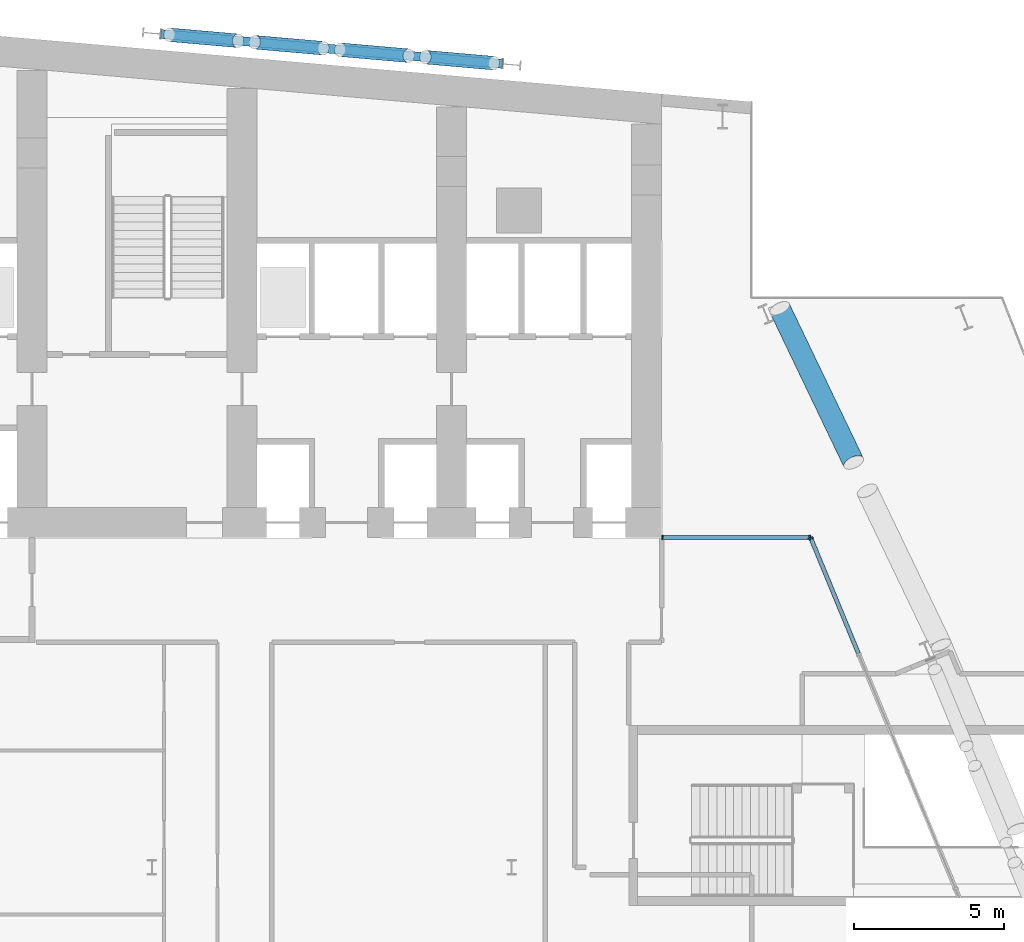
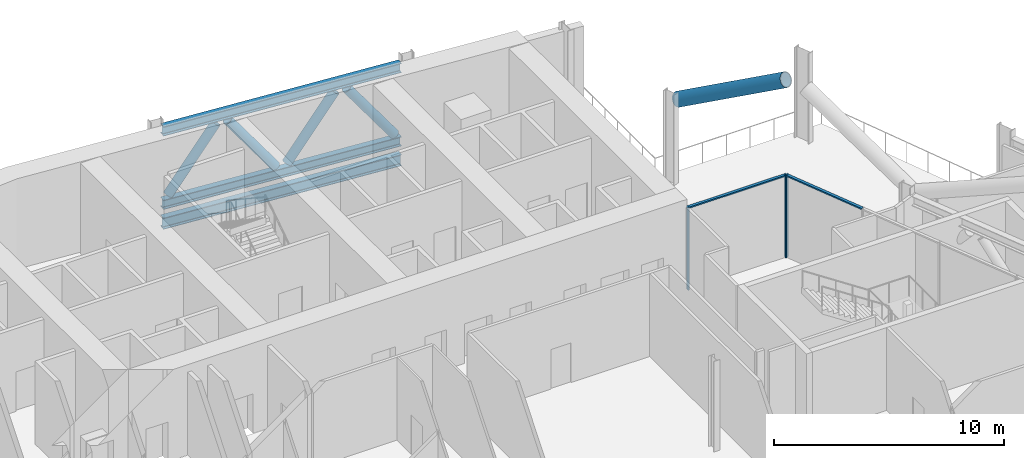
# One storey, part 11 of 42: 12 members, 1 beam, 2 elements without a shape of their own.
"""IFC4 building model written with IfcOpenShell, lengths in metres."""

from ifc_helpers import new_model, si_unit, direction, frame, origin, origin_2d, place, context, subcontext, project, spatial, rectangle, hollow_circle, i_section, extrude, material, material_profile, profile_set, type_object, element, aggregate, save


model = new_model("IFC4")

# Units and contexts
model_context = context("Model", 3, precision=1e-05, world=origin(), true_north=direction((0.0, 1.0)))
body_context = subcontext(model_context, "Body", "Model", "MODEL_VIEW")
ifc_project = project(units=[si_unit("LENGTHUNIT", "METRE"), si_unit("AREAUNIT", "SQUARE_METRE"), si_unit("VOLUMEUNIT", "CUBIC_METRE"), si_unit("PLANEANGLEUNIT", "RADIAN"), si_unit("MASSUNIT", "GRAM", prefix="KILO")], contexts=[model_context])

# Site, building, storey
site_placement = place(None, origin())
site = spatial("IfcSite", under=ifc_project, at=site_placement, CompositionType="ELEMENT")
building_placement = place(site_placement, origin())
building = spatial("IfcBuilding", under=site, at=building_placement, Name="Wharfspan Tower", CompositionType="ELEMENT")
storey_placement = place(building_placement, frame((0.0, 0.0, 147.100098)))
storey = spatial("IfcBuildingStorey", under=building, at=storey_placement, Name="L35", CompositionType="ELEMENT", Elevation=147.100098)

# Beam
ifc_material_1 = material(Name="Steel S355J2", Category="steel")
ifc_material_profile_1 = material_profile(ifc_material_1, i_section(OverallWidth=0.300049, OverallDepth=0.600098, WebThickness=0.015381, FlangeThickness=0.030029, FilletRadius=0.0271, at=origin_2d()))
ifc_profile_set_1 = profile_set([ifc_material_profile_1], Name="Steel S355J2")
beam_type = type_object("IfcBeamType", Name="Edge beam HEB 600", PredefinedType="SPANDREL", material=ifc_profile_set_1)
beam_placement = place(storey_placement, frame((59.695068, 49.791504, -0.75), z_axis=(-0.996194, 0.087162, 0.0), x_axis=(-0.087162, -0.996194, 0.0)))
element("IfcBeam", 1, at=beam_placement, inside=storey, type_object=beam_type, Name="Edge beam N2 L35 R.4 to R.3", PredefinedType="SPANDREL", context=body_context, shape_type="SweptSolid", body=[
    extrude(i_section(OverallWidth=0.300049, OverallDepth=0.600098, WebThickness=0.015381, FlangeThickness=0.030029, FilletRadius=0.0271, at=origin_2d()), origin(), (0.0, 0.0, 1.0), 11.433594),
])

# Curtain wall, members
ifc_material_2 = material(Name="Aluminium 6063-T6", Category="aluminium")
curtain_wall_type = type_object("IfcCurtainWallType", Name="CURTAIN WALL BAND RECESS", PredefinedType="NOTDEFINED", material=ifc_material_2)
curtain_wall_1_placement = place(storey_placement, origin())
curtain_wall_1 = element("IfcCurtainWall", 2, at=curtain_wall_1_placement, inside=storey, type_object=curtain_wall_type, Name="Recess glazing R4", PredefinedType="NOTDEFINED")
ifc_material_profile_2 = material_profile(ifc_material_2, rectangle(XDim=0.159912, YDim=0.060059, at=origin_2d()))
ifc_profile_set_2 = profile_set([ifc_material_profile_2], Name="Aluminium 6063-T6")
member_type_1 = type_object("IfcMemberType", Name="MULLION BAND RECESS 60x160", PredefinedType="MULLION", material=ifc_profile_set_2)
member_1_placement = place(storey_placement, frame((65.030029, 34.0, 0.0), z_axis=(0.0, 0.0, 1.0), x_axis=(0.0, 1.0, 0.0)))
member_1 = element("IfcMember", 3, at=member_1_placement, type_object=member_type_1, Name="Recess glazing R4 mullion 1", PredefinedType="MULLION", context=body_context, shape_type="SweptSolid", body=[
    extrude(rectangle(XDim=0.159912, YDim=0.060059, at=origin_2d()), origin(), (0.0, 0.0, 1.0), 4.399902),
])
member_2_placement = place(storey_placement, frame((69.937012, 34.0, 0.0), z_axis=(0.0, 0.0, 1.0), x_axis=(0.0, 1.0, 0.0)))
member_2 = element("IfcMember", 4, at=member_2_placement, type_object=member_type_1, Name="Recess glazing R4 mullion 2", PredefinedType="MULLION", context=body_context, shape_type="SweptSolid", body=[
    extrude(rectangle(XDim=0.159912, YDim=0.060059, at=origin_2d()), origin(), (0.0, 0.0, 1.0), 4.399902),
])

# Curtain wall, member
curtain_wall_2_placement = place(storey_placement, origin())
curtain_wall_2 = element("IfcCurtainWall", 5, at=curtain_wall_2_placement, inside=storey, type_object=curtain_wall_type, Name="Recess glazing R5", PredefinedType="NOTDEFINED")
member_3_placement = place(storey_placement, frame((69.978516, 33.972168, 0.0), z_axis=(0.0, 0.0, 1.0), x_axis=(0.924325, 0.381602, 0.0)))
member_3 = element("IfcMember", 6, at=member_3_placement, type_object=member_type_1, Name="Recess glazing R5 mullion 1", PredefinedType="MULLION", context=body_context, shape_type="SweptSolid", body=[
    extrude(rectangle(XDim=0.159912, YDim=0.060059, at=origin_2d()), origin(), (0.0, 0.0, 1.0), 4.399902),
])

# Member
ifc_material_3 = material(Name="Steel S460NH", Category="steel")
ifc_material_profile_3 = material_profile(ifc_material_3, hollow_circle(Radius=0.355469, WallThickness=0.035889, at=origin_2d()))
ifc_profile_set_3 = profile_set([ifc_material_profile_3], Name="Steel S460NH")
member_type_2 = type_object("IfcMemberType", Name="Mega brace CHS 711x36", PredefinedType="BRACE", material=ifc_profile_set_3)
member_4_placement = place(storey_placement, frame((68.938721, 41.643066, 4.099854), z_axis=(0.374119, -0.780731, 0.500494), x_axis=(0.90181, 0.432137, -3e-06)))
element("IfcMember", 7, at=member_4_placement, inside=storey, type_object=member_type_2, Name="Mega brace E6 L36 part 3", PredefinedType="BRACE", context=body_context, shape_type="SweptSolid", body=[
    extrude(hollow_circle(Radius=0.355469, WallThickness=0.035889, at=origin_2d()), origin(), (0.0, 0.0, 1.0), 6.581787),
])

ifc_material_profile_4 = material_profile(ifc_material_2, rectangle(XDim=0.139893, YDim=0.070068, at=origin_2d()))
ifc_profile_set_4 = profile_set([ifc_material_profile_4], Name="Aluminium 6063-T6")
member_type_3 = type_object("IfcMemberType", Name="TRANSOM BAND RECESS 70x140", PredefinedType="USERDEFINED", material=ifc_profile_set_4)
member_5_placement = place(storey_placement, frame((65.060059, 34.0, 4.36499), z_axis=(1.0, 0.0, 0.0), x_axis=(0.0, 1.0, 0.0)))
member_5 = element("IfcMember", 8, at=member_5_placement, type_object=member_type_3, Name="Recess glazing R4 transom 1", ObjectType="TRANSOM", PredefinedType="USERDEFINED", context=body_context, shape_type="SweptSolid", body=[
    extrude(rectangle(XDim=0.139893, YDim=0.070068, at=origin_2d()), origin(), (0.0, 0.0, 1.0), 4.846924),
])

aggregate(curtain_wall_1, [member_1, member_2, member_5])

member_6_placement = place(storey_placement, frame((69.989746, 33.94458, 4.36499), z_axis=(0.381605, -0.924325, 0.0), x_axis=(0.924325, 0.381605, 0.0)))
member_6 = element("IfcMember", 9, at=member_6_placement, type_object=member_type_3, Name="Recess glazing R5 transom 1", ObjectType="TRANSOM", PredefinedType="USERDEFINED", context=body_context, shape_type="SweptSolid", body=[
    extrude(rectangle(XDim=0.139893, YDim=0.070068, at=origin_2d()), origin(), (0.0, 0.0, 1.0), 4.132324),
])

aggregate(curtain_wall_2, [member_3, member_6])

# Members
ifc_material_profile_5 = material_profile(ifc_material_1, i_section(OverallWidth=0.300049, OverallDepth=0.5, WebThickness=0.014404, FlangeThickness=0.028076, FilletRadius=0.0271, at=origin_2d()))
ifc_profile_set_5 = profile_set([ifc_material_profile_5], Name="Steel S355J2")
member_type_4 = type_object("IfcMemberType", Name="Truss chord HEB 500", PredefinedType="CHORD", material=ifc_profile_set_5)
for number, where, z_axis, x_axis, name in (
    (10, (59.691162, 49.791748, 4.149902), (-0.996195, 0.087158, 0.0), (-0.087158, -0.996195, 0.0), "Belt truss chord T L35 N2 R.4 to R.3"),
    (11, (59.691162, 49.791748, 0.25), (-0.996195, 0.087158, 0.0), (-0.087158, -0.996195, 0.0), "Belt truss chord B L35 N2 R.4 to R.3"),
):
    element("IfcMember", number, at=place(storey_placement, frame(where, z_axis=z_axis, x_axis=x_axis)), inside=storey, type_object=member_type_4, Name=name, PredefinedType="CHORD", context=body_context, shape_type="SweptSolid", body=[
        extrude(i_section(OverallWidth=0.300049, OverallDepth=0.5, WebThickness=0.014404, FlangeThickness=0.028076, FilletRadius=0.0271, at=origin_2d()), origin(), (0.0, 0.0, 1.0), 11.425781),
    ])
ifc_material_profile_6 = material_profile(ifc_material_3, hollow_circle(Radius=0.228516, WallThickness=0.016113, at=origin_2d()))
ifc_profile_set_6 = profile_set([ifc_material_profile_6], Name="Steel S460NH")
member_type_5 = type_object("IfcMemberType", Name="Truss diagonal CHS 457x16", PredefinedType="BRACE", material=ifc_profile_set_6)
for number, where, z_axis, x_axis, name in (
    (12, (59.410156, 49.816406, 0.63501), (-0.588639, 0.051539, 0.806751), (-0.087224, -0.99619, -1e-06), "Belt truss diagonal L35 N2 R.4 to R.3 1"),
    (13, (56.564697, 50.06543, 3.764893), (-0.588641, 0.051476, -0.806754), (-0.087114, -0.996202, -2e-06), "Belt truss diagonal L35 N2 R.4 to R.3 2"),
    (14, (53.718994, 50.314453, 0.63501), (-0.588641, 0.051476, 0.806754), (-0.087114, -0.996202, 2e-06), "Belt truss diagonal L35 N2 R.4 to R.3 3"),
    (15, (50.873535, 50.563232, 3.764893), (-0.588639, 0.051539, -0.806751), (-0.087224, -0.99619, 1e-06), "Belt truss diagonal L35 N2 R.4 to R.3 4"),
):
    element("IfcMember", number, at=place(storey_placement, frame(where, z_axis=z_axis, x_axis=x_axis)), inside=storey, type_object=member_type_5, Name=name, PredefinedType="BRACE", context=body_context, shape_type="SweptSolid", body=[
        extrude(hollow_circle(Radius=0.228516, WallThickness=0.016113, at=origin_2d()), origin(), (0.0, 0.0, 1.0), 3.879639),
    ])

save(model, "model.ifc")
